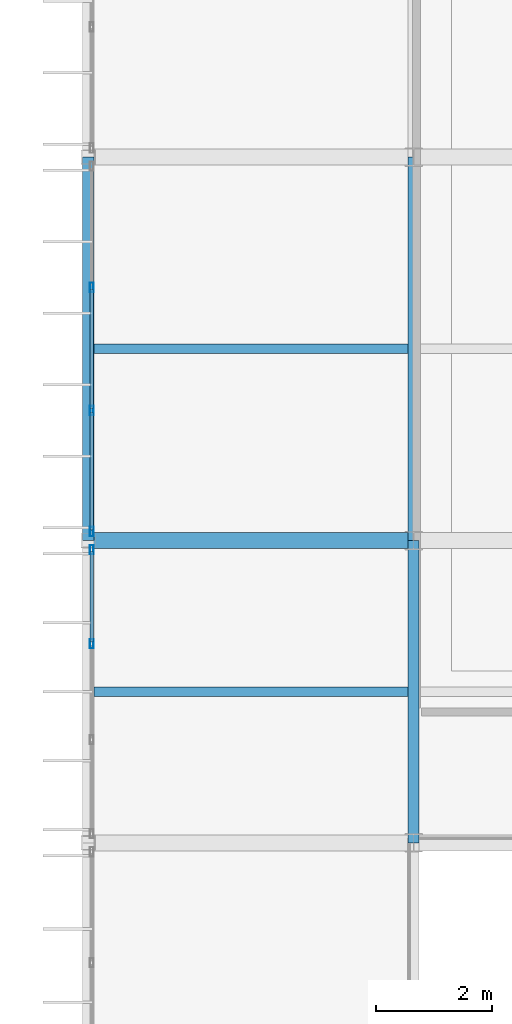
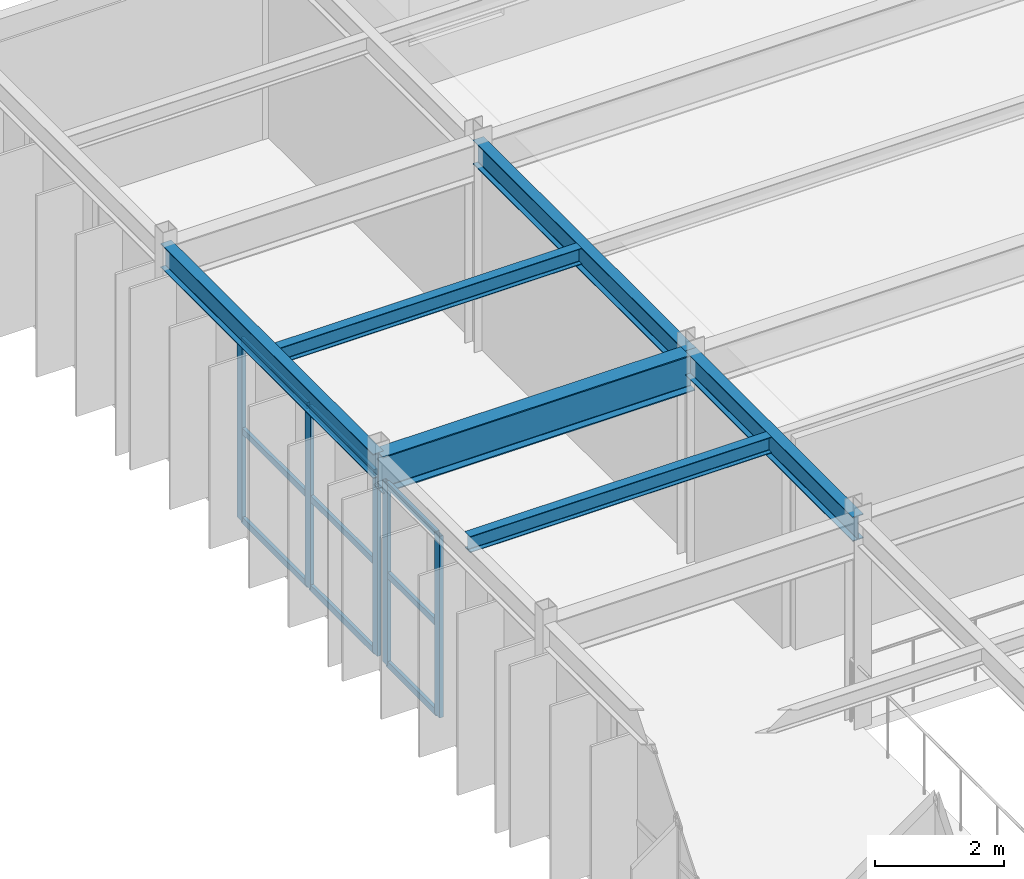
# One storey, part 38 of 147: 14 members, 6 beams, 2 elements without a shape of their own.
"""IFC4 building model written with IfcOpenShell, lengths in metres."""

from ifc_helpers import new_model, si_unit, direction, frame, origin, origin_2d, place, context, subcontext, project, spatial, hollow_rectangle, i_section, extrude, material, material_profile, profile_set, type_object, element, aggregate, save


model = new_model("IFC4")

# Units and contexts
model_context = context("Model", 3, precision=1e-05, world=origin(), true_north=direction((0.0, 1.0)))
body_context = subcontext(model_context, "Body", "Model", "MODEL_VIEW")
ifc_project = project(units=[si_unit("LENGTHUNIT", "METRE"), si_unit("AREAUNIT", "SQUARE_METRE"), si_unit("VOLUMEUNIT", "CUBIC_METRE"), si_unit("PLANEANGLEUNIT", "RADIAN"), si_unit("MASSUNIT", "GRAM", prefix="KILO")], contexts=[model_context])

# Site, building, storey
site_placement = place(None, origin())
site = spatial("IfcSite", under=ifc_project, at=site_placement, CompositionType="ELEMENT")
building_placement = place(site_placement, origin())
building = spatial("IfcBuilding", under=site, at=building_placement, Name="Karori Crest Natural Sciences Institute", CompositionType="ELEMENT")
storey_placement = place(building_placement, frame((0.0, 0.0, 9.10009765625)))
storey = spatial("IfcBuildingStorey", under=building, at=storey_placement, Name="L02", CompositionType="ELEMENT", Elevation=9.10009765625)

# Beams
ifc_material_1 = material(Name="Structural steel AS/NZS 3679.1 Grade 350", Category="steel")
ifc_material_profile_1 = material_profile(ifc_material_1, i_section(OverallWidth=0.27490234375, OverallDepth=0.699951171875, WebThickness=0.010009765625, FlangeThickness=0.02001953125, FilletRadius=0.013916015625, at=origin_2d()), Name="700WB150")
ifc_profile_set_1 = profile_set([ifc_material_profile_1], Name="Structural steel AS/NZS 3679.1 Grade 350")
beam_type_1 = type_object("IfcBeamType", Name="BT-03", PredefinedType="BEAM", material=ifc_profile_set_1)
beam_1_placement = place(storey_placement, frame((1.800048828125, 60.199951171875, 3.56982421875), z_axis=(1.0, 0.0, 0.0), x_axis=(0.0, 1.0, 0.0)))
element("IfcBeam", 1, at=beam_1_placement, inside=storey, type_object=beam_type_1, Name="Beam B-1088", PredefinedType="BEAM", context=body_context, shape_type="SweptSolid", body=[
    extrude(i_section(OverallWidth=0.27490234375, OverallDepth=0.699951171875, WebThickness=0.010009765625, FlangeThickness=0.02001953125, FilletRadius=0.013916015625, at=origin_2d()), origin(), (0.0, 0.0, 1.0), 5.599853515625),
])
ifc_material_profile_2 = material_profile(ifc_material_1, i_section(OverallWidth=0.19091796875, OverallDepth=0.4599609375, WebThickness=0.010009765625, FlangeThickness=0.01611328125, FilletRadius=0.010986328125, at=origin_2d()), Name="460UB82.1")
ifc_profile_set_2 = profile_set([ifc_material_profile_2], Name="Structural steel AS/NZS 3679.1 Grade 350")
beam_type_2 = type_object("IfcBeamType", Name="BT-06", PredefinedType="BEAM", material=ifc_profile_set_2)
beam_2_placement = place(storey_placement, frame((7.39990234375, 55.0, 3.68994140625), z_axis=(0.0, 1.0, 0.0), x_axis=(-1.0, 0.0, 0.0)))
element("IfcBeam", 2, at=beam_2_placement, inside=storey, type_object=beam_type_2, Name="Beam B-1107", PredefinedType="BEAM", context=body_context, shape_type="SweptSolid", body=[
    extrude(i_section(OverallWidth=0.19091796875, OverallDepth=0.4599609375, WebThickness=0.010009765625, FlangeThickness=0.01611328125, FilletRadius=0.010986328125, at=origin_2d()), origin(), (0.0, 0.0, 1.0), 5.199951171875),
])
beam_3_placement = place(storey_placement, frame((7.39990234375, 60.199951171875, 3.68994140625), z_axis=(0.0, 1.0, 0.0), x_axis=(-1.0, 0.0, 0.0)))
element("IfcBeam", 3, at=beam_3_placement, inside=storey, type_object=beam_type_2, Name="Beam B-1108", PredefinedType="BEAM", context=body_context, shape_type="SweptSolid", body=[
    extrude(i_section(OverallWidth=0.19091796875, OverallDepth=0.4599609375, WebThickness=0.010009765625, FlangeThickness=0.01611328125, FilletRadius=0.010986328125, at=origin_2d()), origin(), (0.0, 0.0, 1.0), 6.60009765625),
])
ifc_material_profile_3 = material_profile(ifc_material_1, i_section(OverallWidth=0.19091796875, OverallDepth=0.4599609375, WebThickness=0.010009765625, FlangeThickness=0.01611328125, FilletRadius=0.010986328125, at=origin_2d()), Name="460UB82.1")
ifc_profile_set_3 = profile_set([ifc_material_profile_3], Name="Structural steel AS/NZS 3679.1 Grade 350")
beam_type_3 = type_object("IfcBeamType", Name="BT-06-EL", PredefinedType="BEAM", material=ifc_profile_set_3)
beam_4_placement = place(storey_placement, frame((1.800048828125, 60.199951171875, 3.68994140625), z_axis=(0.0, 1.0, 0.0), x_axis=(-1.0, 0.0, 0.0)))
element("IfcBeam", 4, at=beam_4_placement, inside=storey, type_object=beam_type_3, Name="Beam B-1101", PredefinedType="BEAM", context=body_context, shape_type="SweptSolid", body=[
    extrude(i_section(OverallWidth=0.19091796875, OverallDepth=0.4599609375, WebThickness=0.010009765625, FlangeThickness=0.01611328125, FilletRadius=0.010986328125, at=origin_2d()), origin(), (0.0, 0.0, 1.0), 6.60009765625),
])
ifc_material_profile_4 = material_profile(ifc_material_1, i_section(OverallWidth=0.166015625, OverallDepth=0.306884765625, WebThickness=0.006591796875, FlangeThickness=0.01171875, FilletRadius=0.010986328125, at=origin_2d()), Name="310UB46.2")
ifc_profile_set_4 = profile_set([ifc_material_profile_4], Name="Structural steel AS/NZS 3679.1 Grade 350")
beam_type_4 = type_object("IfcBeamType", Name="BT-09", PredefinedType="BEAM", material=ifc_profile_set_4)
for number, where, z_axis, x_axis, name in (
    (5, (1.8955078125, 57.60009765625, 3.766357421875), (1.0, 0.0, 0.0), (0.0, 1.0, 0.0), "Beam B-1126"),
    (6, (1.8955078125, 63.5, 3.766357421875), (1.0, 0.0, 0.0), (0.0, 1.0, 0.0), "Beam B-1127"),
):
    element("IfcBeam", number, at=place(storey_placement, frame(where, z_axis=z_axis, x_axis=x_axis)), inside=storey, type_object=beam_type_4, Name=name, PredefinedType="BEAM", context=body_context, shape_type="SweptSolid", body=[
        extrude(i_section(OverallWidth=0.166015625, OverallDepth=0.306884765625, WebThickness=0.006591796875, FlangeThickness=0.01171875, FilletRadius=0.010986328125, at=origin_2d()), origin(), (0.0, 0.0, 1.0), 5.408935546875),
    ])

# Curtain wall, members
ifc_material_2 = material(Name="Anodised architectural aluminium 6063-T6", Category="aluminium")
curtain_wall_type = type_object("IfcCurtainWallType", Name="CWT-17", PredefinedType="NOTDEFINED", material=ifc_material_2)
curtain_wall_1_placement = place(storey_placement, origin())
curtain_wall_1 = element("IfcCurtainWall", 7, at=curtain_wall_1_placement, inside=storey, type_object=curtain_wall_type, Name="Curtain wall CW-0272", PredefinedType="NOTDEFINED")
ifc_material_profile_5 = material_profile(ifc_material_2, hollow_rectangle(XDim=0.06494140625, YDim=0.159912109375, WallThickness=0.00390625, at=origin_2d()), Name="CWM160x65x4")
ifc_profile_set_5 = profile_set([ifc_material_profile_5], Name="Anodised architectural aluminium 6063-T6")
member_type_1 = type_object("IfcMemberType", Name="CWM-01", PredefinedType="MULLION", material=ifc_profile_set_5)
member_1_placement = place(storey_placement, frame((1.860107421875, 58.42578125, 0.0), z_axis=(0.0, 0.0, 1.0), x_axis=(-1.0, 0.0, 0.0)))
member_1 = element("IfcMember", 8, at=member_1_placement, type_object=member_type_1, Name="CW-0272 mullion 3", PredefinedType="MULLION", context=body_context, shape_type="SweptSolid", body=[
    extrude(hollow_rectangle(XDim=0.06494140625, YDim=0.159912109375, WallThickness=0.00390625, at=origin_2d()), origin(), (0.0, 0.0, 1.0), 3.44482421875),
])
member_2_placement = place(storey_placement, frame((1.860107421875, 60.04443359375, 0.0), z_axis=(0.0, 0.0, 1.0), x_axis=(-1.0, 0.0, 0.0)))
member_2 = element("IfcMember", 9, at=member_2_placement, type_object=member_type_1, Name="CW-0272 mullion 4", PredefinedType="MULLION", context=body_context, shape_type="SweptSolid", body=[
    extrude(hollow_rectangle(XDim=0.06494140625, YDim=0.159912109375, WallThickness=0.00390625, at=origin_2d()), origin(), (0.0, 0.0, 1.0), 3.44482421875),
])

curtain_wall_2_placement = place(storey_placement, origin())
curtain_wall_2 = element("IfcCurtainWall", 10, at=curtain_wall_2_placement, inside=storey, type_object=curtain_wall_type, Name="Curtain wall CW-0273", PredefinedType="NOTDEFINED")
member_3_placement = place(storey_placement, frame((1.860107421875, 60.35546875, 0.0), z_axis=(0.0, 0.0, 1.0), x_axis=(-1.0, 0.0, 0.0)))
member_3 = element("IfcMember", 11, at=member_3_placement, type_object=member_type_1, Name="CW-0273 mullion 1", PredefinedType="MULLION", context=body_context, shape_type="SweptSolid", body=[
    extrude(hollow_rectangle(XDim=0.06494140625, YDim=0.159912109375, WallThickness=0.00390625, at=origin_2d()), origin(), (0.0, 0.0, 1.0), 3.44482421875),
])
member_4_placement = place(storey_placement, frame((1.860107421875, 62.44091796875, 0.0), z_axis=(0.0, 0.0, 1.0), x_axis=(-1.0, 0.0, 0.0)))
member_4 = element("IfcMember", 12, at=member_4_placement, type_object=member_type_1, Name="CW-0273 mullion 2", PredefinedType="MULLION", context=body_context, shape_type="SweptSolid", body=[
    extrude(hollow_rectangle(XDim=0.06494140625, YDim=0.159912109375, WallThickness=0.00390625, at=origin_2d()), origin(), (0.0, 0.0, 1.0), 3.44482421875),
])
member_5_placement = place(storey_placement, frame((1.860107421875, 64.55908203125, 0.0), z_axis=(0.0, 0.0, 1.0), x_axis=(-1.0, 0.0, 0.0)))
member_5 = element("IfcMember", 13, at=member_5_placement, type_object=member_type_1, Name="CW-0273 mullion 3", PredefinedType="MULLION", context=body_context, shape_type="SweptSolid", body=[
    extrude(hollow_rectangle(XDim=0.06494140625, YDim=0.159912109375, WallThickness=0.00390625, at=origin_2d()), origin(), (0.0, 0.0, 1.0), 3.44482421875),
])

# Member
ifc_material_profile_6 = material_profile(ifc_material_2, hollow_rectangle(XDim=0.06005859375, YDim=0.1201171875, WallThickness=0.00390625, at=origin_2d()), Name="CWT120x60x4")
ifc_profile_set_6 = profile_set([ifc_material_profile_6], Name="Anodised architectural aluminium 6063-T6")
member_type_2 = type_object("IfcMemberType", Name="CWT-TR1", PredefinedType="USERDEFINED", material=ifc_profile_set_6)
member_6_placement = place(storey_placement, frame((1.860107421875, 58.458251953125, 0.02978515625), z_axis=(0.0, 1.0, 0.0), x_axis=(-1.0, 0.0, 0.0)))
member_6 = element("IfcMember", 14, at=member_6_placement, type_object=member_type_2, Name="CW-0272 transom 3.1", ObjectType="TRANSOM", PredefinedType="USERDEFINED", context=body_context, shape_type="SweptSolid", body=[
    extrude(hollow_rectangle(XDim=0.06005859375, YDim=0.1201171875, WallThickness=0.00390625, at=origin_2d()), origin(), (0.0, 0.0, 1.0), 1.5537109375),
])

member_7_placement = place(storey_placement, frame((1.860107421875, 58.458251953125, 1.722412109375), z_axis=(0.0, 1.0, 0.0), x_axis=(-1.0, 0.0, 0.0)))
member_7 = element("IfcMember", 15, at=member_7_placement, type_object=member_type_2, Name="CW-0272 transom 3.2", ObjectType="TRANSOM", PredefinedType="USERDEFINED", context=body_context, shape_type="SweptSolid", body=[
    extrude(hollow_rectangle(XDim=0.06005859375, YDim=0.1201171875, WallThickness=0.00390625, at=origin_2d()), origin(), (0.0, 0.0, 1.0), 1.5537109375),
])

member_8_placement = place(storey_placement, frame((1.860107421875, 58.458251953125, 3.414794921875), z_axis=(0.0, 1.0, 0.0), x_axis=(-1.0, 0.0, 0.0)))
member_8 = element("IfcMember", 16, at=member_8_placement, type_object=member_type_2, Name="CW-0272 transom 3.3", ObjectType="TRANSOM", PredefinedType="USERDEFINED", context=body_context, shape_type="SweptSolid", body=[
    extrude(hollow_rectangle(XDim=0.06005859375, YDim=0.1201171875, WallThickness=0.00390625, at=origin_2d()), origin(), (0.0, 0.0, 1.0), 1.5537109375),
])

aggregate(curtain_wall_1, [member_1, member_2, member_6, member_7, member_8])

member_9_placement = place(storey_placement, frame((1.860107421875, 60.387939453125, 0.02978515625), z_axis=(0.0, 1.0, 0.0), x_axis=(-1.0, 0.0, 0.0)))
member_9 = element("IfcMember", 17, at=member_9_placement, type_object=member_type_2, Name="CW-0273 transom 1.1", ObjectType="TRANSOM", PredefinedType="USERDEFINED", context=body_context, shape_type="SweptSolid", body=[
    extrude(hollow_rectangle(XDim=0.06005859375, YDim=0.1201171875, WallThickness=0.00390625, at=origin_2d()), origin(), (0.0, 0.0, 1.0), 2.0205078125),
])

member_10_placement = place(storey_placement, frame((1.860107421875, 60.387939453125, 1.722412109375), z_axis=(0.0, 1.0, 0.0), x_axis=(-1.0, 0.0, 0.0)))
member_10 = element("IfcMember", 18, at=member_10_placement, type_object=member_type_2, Name="CW-0273 transom 1.2", ObjectType="TRANSOM", PredefinedType="USERDEFINED", context=body_context, shape_type="SweptSolid", body=[
    extrude(hollow_rectangle(XDim=0.06005859375, YDim=0.1201171875, WallThickness=0.00390625, at=origin_2d()), origin(), (0.0, 0.0, 1.0), 2.0205078125),
])

member_11_placement = place(storey_placement, frame((1.860107421875, 60.387939453125, 3.414794921875), z_axis=(0.0, 1.0, 0.0), x_axis=(-1.0, 0.0, 0.0)))
member_11 = element("IfcMember", 19, at=member_11_placement, type_object=member_type_2, Name="CW-0273 transom 1.3", ObjectType="TRANSOM", PredefinedType="USERDEFINED", context=body_context, shape_type="SweptSolid", body=[
    extrude(hollow_rectangle(XDim=0.06005859375, YDim=0.1201171875, WallThickness=0.00390625, at=origin_2d()), origin(), (0.0, 0.0, 1.0), 2.0205078125),
])

member_12_placement = place(storey_placement, frame((1.860107421875, 62.473388671875, 0.02978515625), z_axis=(0.0, 1.0, 0.0), x_axis=(-1.0, 0.0, 0.0)))
member_12 = element("IfcMember", 20, at=member_12_placement, type_object=member_type_2, Name="CW-0273 transom 2.1", ObjectType="TRANSOM", PredefinedType="USERDEFINED", context=body_context, shape_type="SweptSolid", body=[
    extrude(hollow_rectangle(XDim=0.06005859375, YDim=0.1201171875, WallThickness=0.00390625, at=origin_2d()), origin(), (0.0, 0.0, 1.0), 2.05322265625),
])

member_13_placement = place(storey_placement, frame((1.860107421875, 62.473388671875, 1.722412109375), z_axis=(0.0, 1.0, 0.0), x_axis=(-1.0, 0.0, 0.0)))
member_13 = element("IfcMember", 21, at=member_13_placement, type_object=member_type_2, Name="CW-0273 transom 2.2", ObjectType="TRANSOM", PredefinedType="USERDEFINED", context=body_context, shape_type="SweptSolid", body=[
    extrude(hollow_rectangle(XDim=0.06005859375, YDim=0.1201171875, WallThickness=0.00390625, at=origin_2d()), origin(), (0.0, 0.0, 1.0), 2.05322265625),
])

member_14_placement = place(storey_placement, frame((1.860107421875, 62.473388671875, 3.414794921875), z_axis=(0.0, 1.0, 0.0), x_axis=(-1.0, 0.0, 0.0)))
member_14 = element("IfcMember", 22, at=member_14_placement, type_object=member_type_2, Name="CW-0273 transom 2.3", ObjectType="TRANSOM", PredefinedType="USERDEFINED", context=body_context, shape_type="SweptSolid", body=[
    extrude(hollow_rectangle(XDim=0.06005859375, YDim=0.1201171875, WallThickness=0.00390625, at=origin_2d()), origin(), (0.0, 0.0, 1.0), 2.05322265625),
])

aggregate(curtain_wall_2, [member_3, member_4, member_5, member_9, member_10, member_11, member_12, member_13, member_14])

save(model, "model.ifc")
